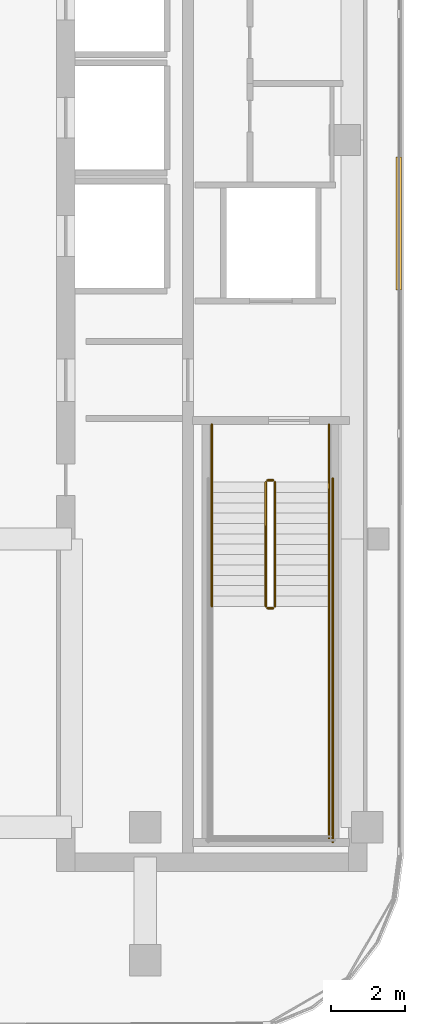
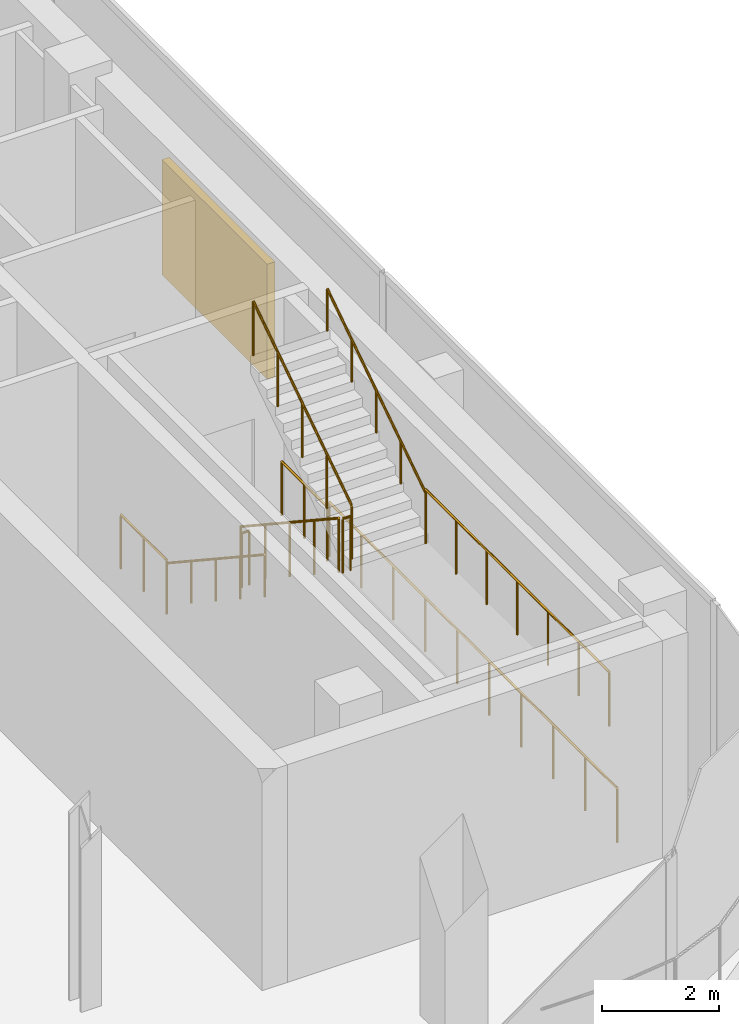
# One storey, part 12 of 13: 10 railings, 1 shading device.
"""IFC4 building model written with IfcOpenShell, lengths in metres."""

from ifc_helpers import new_model, si_unit, direction, frame, origin, origin_2d, place, context, subcontext, project, spatial, rectangle, circle, extrude, material, layer, layer_set, type_object, element, save


model = new_model("IFC4")

# Units and contexts
model_context = context("Model", 3, precision=1e-05, world=origin(), true_north=direction((0.0, 1.0)))
body_context = subcontext(model_context, "Body", "Model", "MODEL_VIEW")
ifc_project = project(units=[si_unit("LENGTHUNIT", "METRE"), si_unit("AREAUNIT", "SQUARE_METRE"), si_unit("VOLUMEUNIT", "CUBIC_METRE"), si_unit("PLANEANGLEUNIT", "RADIAN"), si_unit("MASSUNIT", "GRAM", prefix="KILO")], contexts=[model_context])

# Site, building, storey
site_placement = place(None, origin())
site = spatial("IfcSite", under=ifc_project, at=site_placement, CompositionType="ELEMENT")
building_placement = place(site_placement, origin())
building = spatial("IfcBuilding", under=site, at=building_placement, Name="Khairoan Windgate Tower", CompositionType="ELEMENT")
storey_placement = place(building_placement, frame((0.0, 0.0, 272.800048828125)))
storey = spatial("IfcBuildingStorey", under=building, at=storey_placement, Name="L65", CompositionType="ELEMENT", Elevation=272.800048828125)

# Shading device
ifc_material_1 = material(Name="Anodised Bronze Aluminium 6063-T6", Category="aluminium")
ifc_layer = layer(ifc_material_1, 0.14990234375, Name="Anodised Bronze Aluminium 6063-T6")
ifc_layer_set = layer_set([ifc_layer], Name="Anodised Bronze Aluminium 6063-T6")
shading_device_type = type_object("IfcShadingDeviceType", Name="Acoustic Bronze Plant Weather Louvre BWL-1", PredefinedType="JALOUSIE", material=ifc_layer_set)
shading_device_placement = place(storey_placement, frame((21.260009765625, -2.264404296875, 0.0), z_axis=(0.0, 0.0, 1.0), x_axis=(0.0, -1.0, 0.0)))
element("IfcShadingDevice", 1, at=shading_device_placement, inside=storey, type_object=shading_device_type, Name="L65 Acoustic Bronze Plant Louvre 9", PredefinedType="JALOUSIE", context=body_context, shape_type="SweptSolid", body=[
    extrude(rectangle(XDim=3.60009765625, YDim=0.14990234375, at=origin_2d()), origin(), (0.0, 0.0, 1.0), 2.39990234375),
])

# Railings
ifc_material_2 = material(Name="Anodised Bronze Aluminium 6063-T6", Category="aluminium")
railing_type_1 = type_object("IfcRailingType", Name="Stair Wall Handrail SHR-900", PredefinedType="HANDRAIL", material=ifc_material_2)
railing_1_placement = place(storey_placement, frame((16.199951171875, -9.260009765625, 0.1845703125)))
element("IfcRailing", 2, at=railing_1_placement, inside=storey, type_object=railing_type_1, Name="L65 ST1 stair handrail 1", PredefinedType="HANDRAIL", context=body_context, shape_type="SweptSolid", body=[
    extrude(circle(Radius=0.02392578125, at=origin_2d()), frame((0.0, 0.0, 0.8759765625), z_axis=(0.0, -0.834876476806, 0.550437342915), x_axis=(1.0, 0.0, 0.0)), (0.0, 0.0, 1.0), 4.024658203125),
    extrude(circle(Radius=0.02099609375, at=origin_2d()), origin(), (0.0, 0.0, 1.0), 0.851806640625),
    extrude(circle(Radius=0.02099609375, at=origin_2d()), frame((0.0, -0.840087890625, 0.5537109375)), (0.0, 0.0, 1.0), 0.851806640625),
    extrude(circle(Radius=0.02099609375, at=origin_2d()), frame((0.0, -1.68017578125, 1.107666015625)), (0.0, 0.0, 1.0), 0.851806640625),
    extrude(circle(Radius=0.02099609375, at=origin_2d()), frame((0.0, -2.52001953125, 1.66162109375)), (0.0, 0.0, 1.0), 0.851806640625),
    extrude(circle(Radius=0.02099609375, at=origin_2d()), frame((0.0, -3.360107421875, 2.21533203125)), (0.0, 0.0, 1.0), 0.851806640625),
])
railing_2_placement = place(storey_placement, frame((19.3701171875, -12.6201171875, 2.58447265625)))
element("IfcRailing", 3, at=railing_2_placement, inside=storey, type_object=railing_type_1, Name="L65 ST1 stair handrail 2", PredefinedType="HANDRAIL", context=body_context, shape_type="SweptSolid", body=[
    extrude(circle(Radius=0.02392578125, at=origin_2d()), frame((0.0, 0.0, 0.8759765625), z_axis=(0.0, 0.834848600103, 0.550479622607), x_axis=(-1.0, 0.0, 0.0)), (0.0, 0.0, 1.0), 4.02490234375),
    extrude(circle(Radius=0.02099609375, at=origin_2d()), origin(), (0.0, 0.0, 1.0), 0.851806640625),
    extrude(circle(Radius=0.02099609375, at=origin_2d()), frame((0.0, 0.840087890625, 0.553955078125)), (0.0, 0.0, 1.0), 0.851806640625),
    extrude(circle(Radius=0.02099609375, at=origin_2d()), frame((0.0, 1.68017578125, 1.10791015625)), (0.0, 0.0, 1.0), 0.851806640625),
    extrude(circle(Radius=0.02099609375, at=origin_2d()), frame((0.0, 2.52001953125, 1.66162109375)), (0.0, 0.0, 1.0), 0.851806640625),
    extrude(circle(Radius=0.02099609375, at=origin_2d()), frame((0.0, 3.360107421875, 2.215576171875)), (0.0, 0.0, 1.0), 0.851806640625),
])
ifc_material_3 = material(Name="Steel S355", Category="steel")
railing_type_2 = type_object("IfcRailingType", Name="Stairwell Safety Guardrail SGR-1150", PredefinedType="GUARDRAIL", material=ifc_material_3)
railing_3_placement = place(storey_placement, frame((17.659912109375, -9.260009765625, 0.1845703125)))
element("IfcRailing", 4, at=railing_3_placement, inside=storey, type_object=railing_type_2, Name="L65 ST1 stair guard 1", PredefinedType="GUARDRAIL", context=body_context, shape_type="SweptSolid", body=[
    extrude(circle(Radius=0.02392578125, at=origin_2d()), frame((0.0, 0.0, 1.1259765625), z_axis=(0.0, -0.834876476806, 0.550437342915), x_axis=(1.0, 0.0, 0.0)), (0.0, 0.0, 1.0), 4.024658203125),
    extrude(circle(Radius=0.02099609375, at=origin_2d()), origin(), (0.0, 0.0, 1.0), 1.101806640625),
    extrude(circle(Radius=0.02099609375, at=origin_2d()), frame((0.0, -0.840087890625, 0.5537109375)), (0.0, 0.0, 1.0), 1.101806640625),
    extrude(circle(Radius=0.02099609375, at=origin_2d()), frame((0.0, -1.68017578125, 1.107666015625)), (0.0, 0.0, 1.0), 1.101806640625),
    extrude(circle(Radius=0.02099609375, at=origin_2d()), frame((0.0, -2.52001953125, 1.66162109375)), (0.0, 0.0, 1.0), 1.101806640625),
    extrude(circle(Radius=0.02099609375, at=origin_2d()), frame((0.0, -3.360107421875, 2.21533203125)), (0.0, 0.0, 1.0), 1.101806640625),
])
railing_4_placement = place(storey_placement, frame((17.7099609375, -12.669921875, 2.39990234375)))
element("IfcRailing", 5, at=railing_4_placement, inside=storey, type_object=railing_type_2, Name="L65 ST1 stair guard 2", PredefinedType="GUARDRAIL", context=body_context, shape_type="SweptSolid", body=[
    extrude(circle(Radius=0.02392578125, at=origin_2d()), frame((0.0, 0.0, 1.1259765625), z_axis=(1.0, 0.0, 0.0), x_axis=(0.0, 1.0, 0.0)), (0.0, 0.0, 1.0), 0.150146484375),
    extrude(circle(Radius=0.02099609375, at=origin_2d()), origin(), (0.0, 0.0, 1.0), 1.101806640625),
    extrude(circle(Radius=0.02099609375, at=origin_2d()), frame((0.150146484375, 0.0, 0.0)), (0.0, 0.0, 1.0), 1.101806640625),
])
railing_5_placement = place(storey_placement, frame((19.3701171875, -12.6201171875, 2.39990234375)))
element("IfcRailing", 6, at=railing_5_placement, inside=storey, type_object=railing_type_2, Name="L65 ST1 stair guard 4", PredefinedType="GUARDRAIL", context=body_context, shape_type="SweptSolid", body=[
    extrude(circle(Radius=0.02392578125, at=origin_2d()), frame((0.0, 0.0, 1.1259765625), z_axis=(0.0, -1.0, 0.0), x_axis=(1.0, 0.0, 0.0)), (0.0, 0.0, 1.0), 6.27978515625),
    extrude(circle(Radius=0.02099609375, at=origin_2d()), origin(), (0.0, 0.0, 1.0), 1.101806640625),
    extrude(circle(Radius=0.02099609375, at=origin_2d()), frame((0.0, -1.046630859375, 0.0)), (0.0, 0.0, 1.0), 1.101806640625),
    extrude(circle(Radius=0.02099609375, at=origin_2d()), frame((0.0, -2.09326171875, 0.0)), (0.0, 0.0, 1.0), 1.101806640625),
    extrude(circle(Radius=0.02099609375, at=origin_2d()), frame((0.0, -3.139892578125, 0.0)), (0.0, 0.0, 1.0), 1.101806640625),
    extrude(circle(Radius=0.02099609375, at=origin_2d()), frame((0.0, -4.1865234375, 0.0)), (0.0, 0.0, 1.0), 1.101806640625),
    extrude(circle(Radius=0.02099609375, at=origin_2d()), frame((0.0, -5.233154296875, 0.0)), (0.0, 0.0, 1.0), 1.101806640625),
    extrude(circle(Radius=0.02099609375, at=origin_2d()), frame((0.0, -6.27978515625, 0.0)), (0.0, 0.0, 1.0), 1.101806640625),
])
railing_6_placement = place(storey_placement, frame((17.909912109375, -12.6201171875, 2.58447265625)))
element("IfcRailing", 7, at=railing_6_placement, inside=storey, type_object=railing_type_2, Name="L65 ST1 stair guard 6", PredefinedType="GUARDRAIL", context=body_context, shape_type="SweptSolid", body=[
    extrude(circle(Radius=0.02392578125, at=origin_2d()), frame((0.0, 0.0, 1.1259765625), z_axis=(0.0, 0.834848600103, 0.550479622607), x_axis=(-1.0, 0.0, 0.0)), (0.0, 0.0, 1.0), 4.02490234375),
    extrude(circle(Radius=0.02099609375, at=origin_2d()), origin(), (0.0, 0.0, 1.0), 1.101806640625),
    extrude(circle(Radius=0.02099609375, at=origin_2d()), frame((0.0, 0.840087890625, 0.553955078125)), (0.0, 0.0, 1.0), 1.101806640625),
    extrude(circle(Radius=0.02099609375, at=origin_2d()), frame((0.0, 1.68017578125, 1.10791015625)), (0.0, 0.0, 1.0), 1.101806640625),
    extrude(circle(Radius=0.02099609375, at=origin_2d()), frame((0.0, 2.52001953125, 1.66162109375)), (0.0, 0.0, 1.0), 1.101806640625),
    extrude(circle(Radius=0.02099609375, at=origin_2d()), frame((0.0, 3.360107421875, 2.215576171875)), (0.0, 0.0, 1.0), 1.101806640625),
])
railing_7_placement = place(storey_placement, frame((17.7099609375, -9.2099609375, 0.0)))
element("IfcRailing", 8, at=railing_7_placement, inside=storey, type_object=railing_type_2, Name="L65 ST1 stair guard 7", PredefinedType="GUARDRAIL", context=body_context, shape_type="SweptSolid", body=[
    extrude(circle(Radius=0.02392578125, at=origin_2d()), frame((0.0, 0.0, 1.1259765625), z_axis=(1.0, 0.0, 0.0), x_axis=(0.0, 1.0, 0.0)), (0.0, 0.0, 1.0), 0.150146484375),
    extrude(circle(Radius=0.02099609375, at=origin_2d()), origin(), (0.0, 0.0, 1.0), 1.101806640625),
    extrude(circle(Radius=0.02099609375, at=origin_2d()), frame((0.150146484375, 0.0, 0.0)), (0.0, 0.0, 1.0), 1.101806640625),
])
for number, where, name in (
    (9, (16.199951171875, -7.699951171875, 0.0), "L65 ST1 stair guard 8"),
    (10, (19.3701171875, -7.699951171875, 0.0), "L65 ST1 stair guard 9"),
):
    element("IfcRailing", number, at=place(storey_placement, frame(where)), inside=storey, type_object=railing_type_2, Name=name, PredefinedType="GUARDRAIL", context=body_context, shape_type="SweptSolid", body=[
        extrude(circle(Radius=0.02392578125, at=origin_2d()), frame((0.0, 0.0, 1.1259765625), z_axis=(0.0, -1.0, 0.0), x_axis=(1.0, 0.0, 0.0)), (0.0, 0.0, 1.0), 1.56005859375),
        extrude(circle(Radius=0.02099609375, at=origin_2d()), origin(), (0.0, 0.0, 1.0), 1.101806640625),
        extrude(circle(Radius=0.02099609375, at=origin_2d()), frame((0.0, -0.780029296875, 0.0)), (0.0, 0.0, 1.0), 1.101806640625),
        extrude(circle(Radius=0.02099609375, at=origin_2d()), frame((0.0, -1.56005859375, 0.0)), (0.0, 0.0, 1.0), 1.101806640625),
    ])
railing_8_placement = place(storey_placement, frame((19.469970703125, -9.159912109375, 0.0)))
element("IfcRailing", 11, at=railing_8_placement, inside=storey, type_object=railing_type_2, Name="L65 ST1 stair guard 11", PredefinedType="GUARDRAIL", context=body_context, shape_type="SweptSolid", body=[
    extrude(circle(Radius=0.02392578125, at=origin_2d()), frame((0.0, 0.0, 1.1259765625), z_axis=(0.0, -1.0, 0.0), x_axis=(1.0, 0.0, 0.0)), (0.0, 0.0, 1.0), 9.840087890625),
    extrude(circle(Radius=0.02099609375, at=origin_2d()), origin(), (0.0, 0.0, 1.0), 1.101806640625),
    extrude(circle(Radius=0.02099609375, at=origin_2d()), frame((0.0, -1.09326171875, 0.0)), (0.0, 0.0, 1.0), 1.101806640625),
    extrude(circle(Radius=0.02099609375, at=origin_2d()), frame((0.0, -2.186767578125, 0.0)), (0.0, 0.0, 1.0), 1.101806640625),
    extrude(circle(Radius=0.02099609375, at=origin_2d()), frame((0.0, -3.280029296875, 0.0)), (0.0, 0.0, 1.0), 1.101806640625),
    extrude(circle(Radius=0.02099609375, at=origin_2d()), frame((0.0, -4.373291015625, 0.0)), (0.0, 0.0, 1.0), 1.101806640625),
    extrude(circle(Radius=0.02099609375, at=origin_2d()), frame((0.0, -5.466796875, 0.0)), (0.0, 0.0, 1.0), 1.101806640625),
    extrude(circle(Radius=0.02099609375, at=origin_2d()), frame((0.0, -6.56005859375, 0.0)), (0.0, 0.0, 1.0), 1.101806640625),
    extrude(circle(Radius=0.02099609375, at=origin_2d()), frame((0.0, -7.6533203125, 0.0)), (0.0, 0.0, 1.0), 1.101806640625),
    extrude(circle(Radius=0.02099609375, at=origin_2d()), frame((0.0, -8.746826171875, 0.0)), (0.0, 0.0, 1.0), 1.101806640625),
    extrude(circle(Radius=0.02099609375, at=origin_2d()), frame((0.0, -9.840087890625, 0.0)), (0.0, 0.0, 1.0), 1.101806640625),
])

save(model, "model.ifc")
